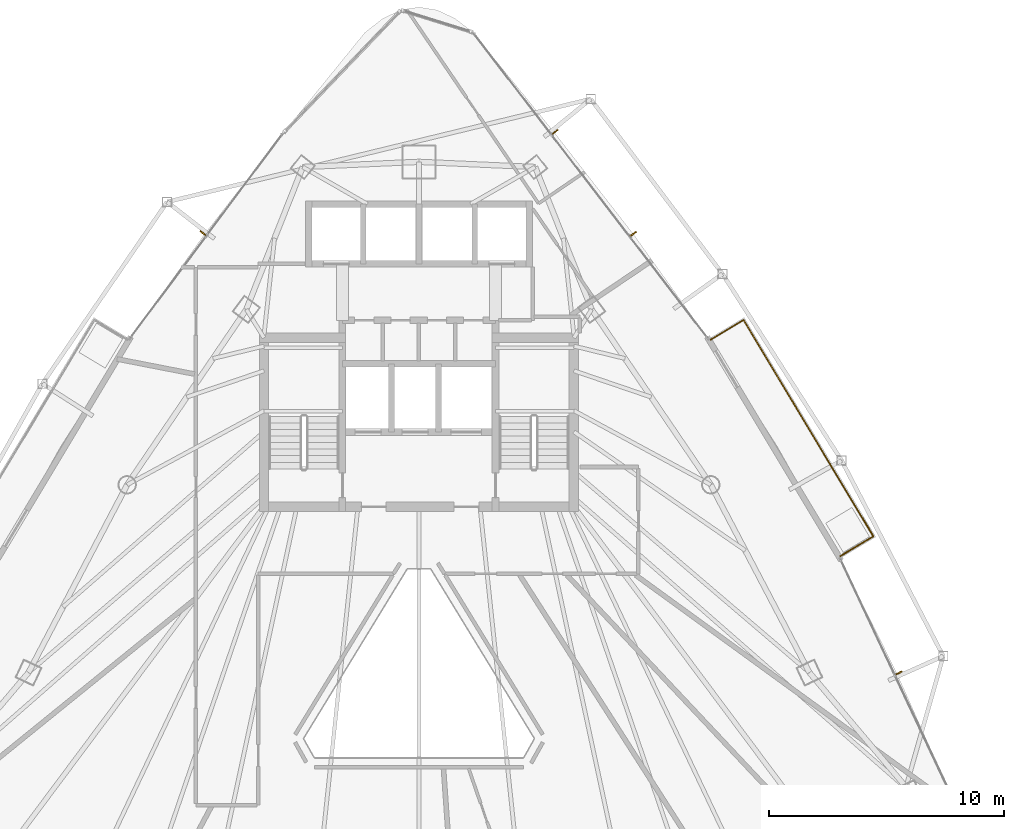
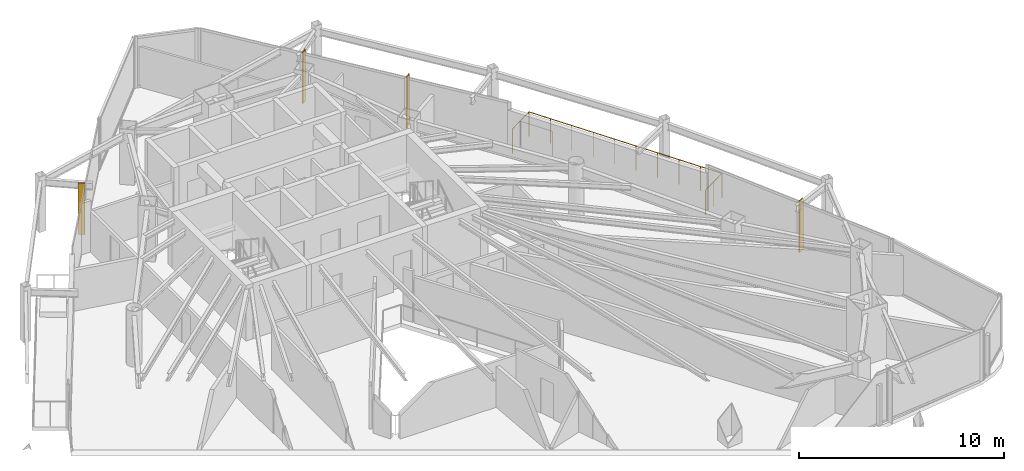
# One storey, part 29 of 29: 4 shading devices, 1 railing.
"""IFC4 building model written with IfcOpenShell, lengths in metres."""

from ifc_helpers import new_model, si_unit, direction, frame, origin, origin_2d, place, context, subcontext, project, spatial, rectangle, circle, extrude, material, layer, layer_set, type_object, element, save


model = new_model("IFC4")

# Units and contexts
model_context = context("Model", 3, precision=1e-05, world=origin(), true_north=direction((0.0, 1.0)))
body_context = subcontext(model_context, "Body", "Model", "MODEL_VIEW")
ifc_project = project(units=[si_unit("LENGTHUNIT", "METRE"), si_unit("AREAUNIT", "SQUARE_METRE"), si_unit("VOLUMEUNIT", "CUBIC_METRE"), si_unit("PLANEANGLEUNIT", "RADIAN"), si_unit("MASSUNIT", "GRAM", prefix="KILO")], contexts=[model_context])

# Site, building, storey
site_placement = place(None, origin())
site = spatial("IfcSite", under=ifc_project, at=site_placement, CompositionType="ELEMENT")
building_placement = place(site_placement, origin())
building = spatial("IfcBuilding", under=site, at=building_placement, Name="Orvanel Arch Residences", CompositionType="ELEMENT")
storey_placement = place(building_placement, frame((0.0, 0.0, 160.550048828125)))
storey = spatial("IfcBuildingStorey", under=building, at=storey_placement, Name="L45", CompositionType="ELEMENT", Elevation=160.550048828125)

# Shading devices
ifc_material = material(Name="Bronze-anodised aluminium AA6063-T6", Category="aluminium")
ifc_layer = layer(ifc_material, 0.054931640625)
ifc_layer_set = layer_set([ifc_layer], Name="Bronze-anodised aluminium AA6063-T6")
shading_device_type = type_object("IfcShadingDeviceType", Name="FIN-BRZ-320", PredefinedType="USERDEFINED", material=ifc_layer_set)
for number, where, z_axis, x_axis, name in (
    (1, (23.800048828125, 38.360107421875, 0.0), (0.0, 0.0, 1.0), (-0.801775644244, 0.597625146976, 0.0), "L45 Anodised Bronze Mullion FIN 01"),
    (2, (53.43798828125, 19.6259765625, 0.0), (0.0, 0.0, 1.0), (0.904827052466, 0.425779291565, 0.0), "L45 Anodised Bronze Mullion FIN 01"),
    (3, (42.1298828125, 38.327880859375, 0.0), (0.0, 0.0, 1.0), (0.793353340291, 0.608761429009, 0.0), "L45 Anodised Bronze Mullion FIN 01"),
    (4, (38.794921875, 42.669921875, 0.0), (0.0, 0.0, 1.0), (0.793353340291, 0.608761429009, 0.0), "L45 Anodised Bronze Mullion FIN 02"),
):
    element("IfcShadingDevice", number, at=place(storey_placement, frame(where, z_axis=z_axis, x_axis=x_axis)), inside=storey, type_object=shading_device_type, Name=name, ObjectType="FIN", PredefinedType="USERDEFINED", context=body_context, shape_type="SweptSolid", body=[
        extrude(rectangle(XDim=0.320068359375, YDim=0.054931640625, at=origin_2d()), origin(), (0.0, 0.0, 1.0), 3.06005859375),
    ])

# Railing
railing_type = type_object("IfcRailingType", Name="RL-BAL-1480", PredefinedType="BALUSTRADE", material=ifc_material)
railing_placement = place(storey_placement, frame((50.947021484375, 24.60400390625, 0.0)))
element("IfcRailing", 5, at=railing_placement, inside=storey, type_object=railing_type, Name="L45 Balcony Perimeter Guardrail Face 3", PredefinedType="BALUSTRADE", context=body_context, shape_type="SweptSolid", body=[
    extrude(circle(Radius=0.02392578125, at=origin_2d()), frame((0.001220703125, 0.000732421875, 1.4560546875), z_axis=(0.857545439568, 0.514408222208, 0.0), x_axis=(-0.514408222208, 0.857545439568, 0.0)), (0.0, 0.0, 1.0), 1.6376953125),
    extrude(circle(Radius=0.02392578125, at=origin_2d()), frame((1.40625, 0.84521484375, 1.4560546875), z_axis=(-0.514402191401, 0.857549057187, 0.0), x_axis=(-0.857549057187, -0.514402191401, 0.0)), (0.0, 0.0, 1.0), 10.74169921875),
    extrude(circle(Radius=0.02392578125, at=origin_2d()), frame((-4.121337890625, 10.057373046875, 1.4560546875), z_axis=(-0.857387817543, -0.514670895164, 0.0), x_axis=(0.514670895164, -0.857387817543, 0.0)), (0.0, 0.0, 1.0), 1.636962890625),
    extrude(circle(Radius=0.02099609375, at=origin_2d()), origin(), (0.0, 0.0, 1.0), 1.429931640625),
    extrude(circle(Radius=0.02099609375, at=origin_2d()), frame((0.70361328125, 0.421875, 0.0)), (0.0, 0.0, 1.0), 1.429931640625),
    extrude(circle(Radius=0.02099609375, at=origin_2d()), frame((1.406982421875, 0.843994140625, 0.0)), (0.0, 0.0, 1.0), 1.429931640625),
    extrude(circle(Radius=0.02099609375, at=origin_2d()), frame((0.79296875, 1.86767578125, 0.0)), (0.0, 0.0, 1.0), 1.429931640625),
    extrude(circle(Radius=0.02099609375, at=origin_2d()), frame((0.1787109375, 2.8916015625, 0.0)), (0.0, 0.0, 1.0), 1.429931640625),
    extrude(circle(Radius=0.02099609375, at=origin_2d()), frame((-0.435302734375, 3.915283203125, 0.0)), (0.0, 0.0, 1.0), 1.429931640625),
    extrude(circle(Radius=0.02099609375, at=origin_2d()), frame((-1.049560546875, 4.939208984375, 0.0)), (0.0, 0.0, 1.0), 1.429931640625),
    extrude(circle(Radius=0.02099609375, at=origin_2d()), frame((-1.66357421875, 5.962890625, 0.0)), (0.0, 0.0, 1.0), 1.429931640625),
    extrude(circle(Radius=0.02099609375, at=origin_2d()), frame((-2.27783203125, 6.98681640625, 0.0)), (0.0, 0.0, 1.0), 1.429931640625),
    extrude(circle(Radius=0.02099609375, at=origin_2d()), frame((-2.891845703125, 8.010498046875, 0.0)), (0.0, 0.0, 1.0), 1.429931640625),
    extrude(circle(Radius=0.02099609375, at=origin_2d()), frame((-3.506103515625, 9.034423828125, 0.0)), (0.0, 0.0, 1.0), 1.429931640625),
    extrude(circle(Radius=0.02099609375, at=origin_2d()), frame((-4.1201171875, 10.05810546875, 0.0)), (0.0, 0.0, 1.0), 1.429931640625),
    extrude(circle(Radius=0.02099609375, at=origin_2d()), frame((-4.8232421875, 9.63623046875, 0.0)), (0.0, 0.0, 1.0), 1.429931640625),
    extrude(circle(Radius=0.02099609375, at=origin_2d()), frame((-5.526123046875, 9.214111328125, 0.0)), (0.0, 0.0, 1.0), 1.429931640625),
])

save(model, "model.ifc")
